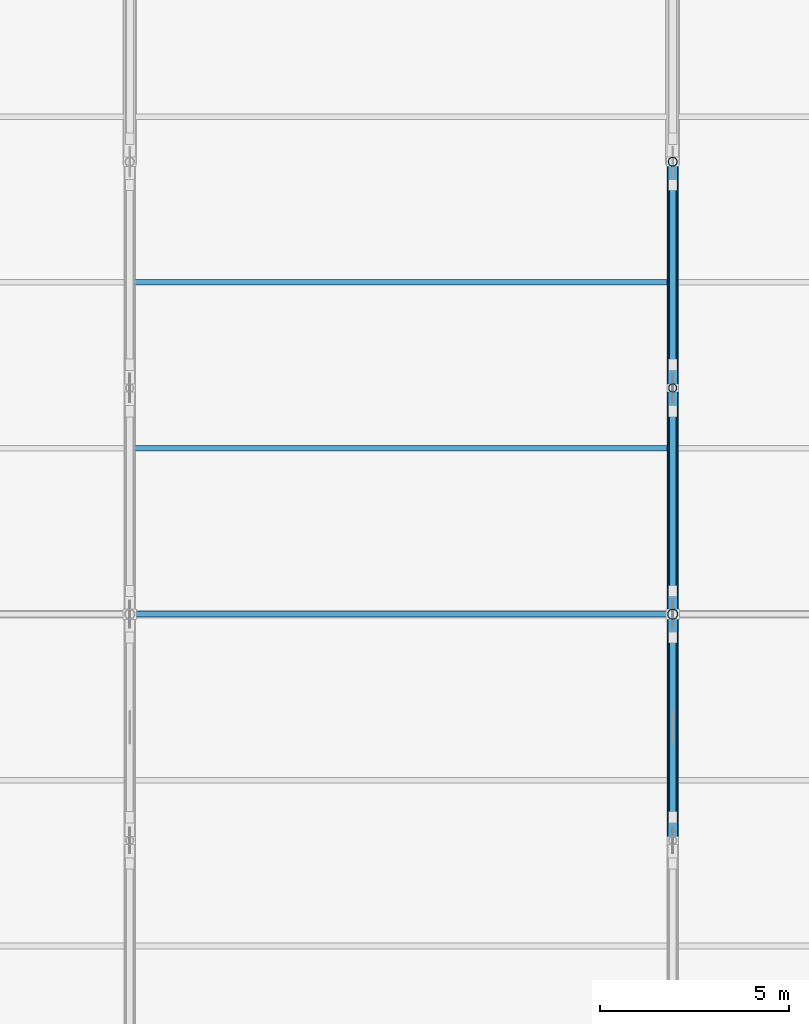
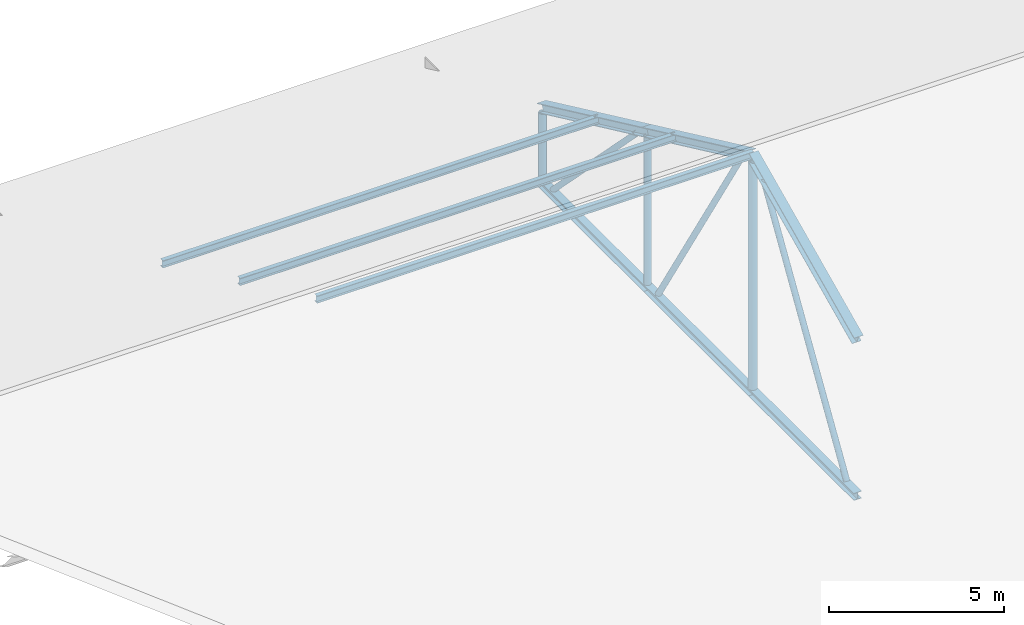
# One storey, part 81 of 141: 15 members, 1 element without a shape of its own.
"""IFC4 building model written with IfcOpenShell, lengths in metres."""

from ifc_helpers import new_model, si_unit, direction, frame, origin, origin_2d, place, context, subcontext, project, spatial, hollow_circle, i_section, extrude, material, material_profile, profile_set, type_object, element, aggregate, save


model = new_model("IFC4")

# Units and contexts
model_context = context("Model", 3, precision=1e-05, world=origin(), true_north=direction((0.0, 1.0)))
body_context = subcontext(model_context, "Body", "Model", "MODEL_VIEW")
ifc_project = project(units=[si_unit("LENGTHUNIT", "METRE"), si_unit("AREAUNIT", "SQUARE_METRE"), si_unit("VOLUMEUNIT", "CUBIC_METRE"), si_unit("PLANEANGLEUNIT", "RADIAN"), si_unit("MASSUNIT", "GRAM", prefix="KILO")], contexts=[model_context])

# Site, building, storey
site_placement = place(None, origin())
site = spatial("IfcSite", under=ifc_project, at=site_placement, CompositionType="ELEMENT")
building_placement = place(site_placement, origin())
building = spatial("IfcBuilding", under=site, at=building_placement, Name="Seraya Terrace Polytechnic", CompositionType="ELEMENT")
storey_placement = place(building_placement, frame((0.0, 0.0, 14.39990234375)))
storey = spatial("IfcBuildingStorey", under=building, at=storey_placement, Name="L03", CompositionType="ELEMENT", Elevation=14.39990234375)

# Assembly, members
ifc_material = material(Name="Steel S355J2", Category="steel")
element_assembly_type = type_object("IfcElementAssemblyType", Name="TR-A1", PredefinedType="TRUSS", material=ifc_material)
assembly_placement = place(storey_placement, origin())
assembly = element("IfcElementAssembly", 1, at=assembly_placement, inside=storey, type_object=element_assembly_type, Name="Pitched steel roof truss TR-04", AssemblyPlace="SITE", PredefinedType="TRUSS")
ifc_material_profile_1 = material_profile(ifc_material, i_section(OverallWidth=0.25390625, OverallDepth=0.25390625, WebThickness=0.0107421875, FlangeThickness=0.017333984375, at=origin_2d()), Name="UKC 254x254x10.7x17.3")
ifc_profile_set_1 = profile_set([ifc_material_profile_1], Name="Steel S355J2")
member_type_1 = type_object("IfcMemberType", Name="BC-02", PredefinedType="CHORD", material=ifc_profile_set_1)
member_1_placement = place(storey_placement, frame((57.60009765625, 91.199951171875, 0.150146484375), z_axis=(0.0, 1.0, 0.0), x_axis=(-1.0, 0.0, 0.0)))
member_1 = element("IfcMember", 2, at=member_1_placement, type_object=member_type_1, Name="TR-04 bottom chord 3", PredefinedType="CHORD", context=body_context, shape_type="SweptSolid", body=[
    extrude(i_section(OverallWidth=0.25390625, OverallDepth=0.25390625, WebThickness=0.0107421875, FlangeThickness=0.017333984375, at=origin_2d()), origin(), (0.0, 0.0, 1.0), 6.0),
])
member_2_placement = place(storey_placement, frame((57.60009765625, 97.199951171875, 0.150146484375), z_axis=(0.0, 1.0, 0.0), x_axis=(-1.0, 0.0, 0.0)))
member_2 = element("IfcMember", 3, at=member_2_placement, type_object=member_type_1, Name="TR-04 bottom chord 4", PredefinedType="CHORD", context=body_context, shape_type="SweptSolid", body=[
    extrude(i_section(OverallWidth=0.25390625, OverallDepth=0.25390625, WebThickness=0.0107421875, FlangeThickness=0.017333984375, at=origin_2d()), origin(), (0.0, 0.0, 1.0), 6.0),
])
member_3_placement = place(storey_placement, frame((57.60009765625, 103.199951171875, 0.150146484375), z_axis=(0.0, 1.0, 0.0), x_axis=(-1.0, 0.0, 0.0)))
member_3 = element("IfcMember", 4, at=member_3_placement, type_object=member_type_1, Name="TR-04 bottom chord 5", PredefinedType="CHORD", context=body_context, shape_type="SweptSolid", body=[
    extrude(i_section(OverallWidth=0.25390625, OverallDepth=0.25390625, WebThickness=0.0107421875, FlangeThickness=0.017333984375, at=origin_2d()), origin(), (0.0, 0.0, 1.0), 6.0),
])
ifc_material_profile_2 = material_profile(ifc_material, hollow_circle(Radius=0.096923828125, WallThickness=0.010009765625, at=origin_2d()), Name="CHS 193.7x10.0")
ifc_profile_set_2 = profile_set([ifc_material_profile_2], Name="Steel S355J2")
member_type_2 = type_object("IfcMemberType", Name="BR-02", PredefinedType="BRACE", material=ifc_profile_set_2)
member_4_placement = place(storey_placement, frame((57.60009765625, 91.820068359375, 0.291015625), z_axis=(0.0, 0.528137409747, 0.84915892295), x_axis=(-1.0, 0.0, 0.0)))
member_4 = element("IfcMember", 5, at=member_4_placement, type_object=member_type_2, Name="TR-04 web diagonal 3", PredefinedType="BRACE", context=body_context, shape_type="SweptSolid", body=[
    extrude(hollow_circle(Radius=0.096923828125, WallThickness=0.010009765625, at=origin_2d()), origin(), (0.0, 0.0, 1.0), 9.012939453125),
])
member_5_placement = place(storey_placement, frame((57.60009765625, 97.820068359375, 7.9443359375), z_axis=(0.0, 0.528137409747, -0.84915892295), x_axis=(-1.0, 0.0, 0.0)))
member_5 = element("IfcMember", 6, at=member_5_placement, type_object=member_type_2, Name="TR-04 web diagonal 4", PredefinedType="BRACE", context=body_context, shape_type="SweptSolid", body=[
    extrude(hollow_circle(Radius=0.096923828125, WallThickness=0.010009765625, at=origin_2d()), origin(), (0.0, 0.0, 1.0), 9.012939453125),
])
member_6_placement = place(storey_placement, frame((57.60009765625, 103.820068359375, 5.144287109375), z_axis=(0.0, 0.700213947338, -0.713933069659), x_axis=(-1.0, 0.0, 0.0)))
member_6 = element("IfcMember", 7, at=member_6_placement, type_object=member_type_2, Name="TR-04 web diagonal 5", PredefinedType="BRACE", context=body_context, shape_type="SweptSolid", body=[
    extrude(hollow_circle(Radius=0.096923828125, WallThickness=0.010009765625, at=origin_2d()), origin(), (0.0, 0.0, 1.0), 6.7978515625),
])

# Members
ifc_material_profile_3 = material_profile(ifc_material, i_section(OverallWidth=0.14599609375, OverallDepth=0.25390625, WebThickness=0.007080078125, FlangeThickness=0.01416015625, at=origin_2d()), Name="UKB 254x146x7.2x14.2")
ifc_profile_set_3 = profile_set([ifc_material_profile_3], Name="Steel S355J2")
member_type_3 = type_object("IfcMemberType", Name="PR-01", PredefinedType="PURLIN", material=ifc_profile_set_3)
for number, where, z_axis, x_axis, name in (
    (8, (43.199951171875, 97.199951171875, 8.43017578125), (1.0, 0.0, 0.0), (0.0, 1.0, 0.0), "Workshop roof purlin PR-01 bay 3.6"),
    (9, (43.199951171875, 101.60009765625, 6.376953125), (1.0, 0.0, 0.0), (0.0, 1.0, 0.0), "Workshop roof purlin PR-01 bay 3.7"),
    (10, (43.199951171875, 106.0, 4.323486328125), (1.0, 0.0, 0.0), (0.0, 1.0, 0.0), "Workshop roof purlin PR-01 bay 3.8"),
):
    element("IfcMember", number, at=place(storey_placement, frame(where, z_axis=z_axis, x_axis=x_axis)), inside=storey, type_object=member_type_3, Name=name, PredefinedType="PURLIN", context=body_context, shape_type="SweptSolid", body=[
        extrude(i_section(OverallWidth=0.14599609375, OverallDepth=0.25390625, WebThickness=0.007080078125, FlangeThickness=0.01416015625, at=origin_2d()), origin(), (0.0, 0.0, 1.0), 14.400146484375),
    ])

# Member
ifc_material_profile_4 = material_profile(ifc_material, hollow_circle(Radius=0.136474609375, WallThickness=0.012451171875, at=origin_2d()), Name="CHS 273.0x12.5")
ifc_profile_set_4 = profile_set([ifc_material_profile_4], Name="Steel S355J2")
member_type_4 = type_object("IfcMemberType", Name="ST-M1", PredefinedType="STRUT", material=ifc_profile_set_4)
member_7_placement = place(storey_placement, frame((57.60009765625, 97.199951171875, 0.281005859375), z_axis=(0.0, 0.0, 1.0), x_axis=(1.0, 0.0, 0.0)))
member_7 = element("IfcMember", 11, at=member_7_placement, type_object=member_type_4, Name="TR-04 vertical strut 4", PredefinedType="STRUT", context=body_context, shape_type="SweptSolid", body=[
    extrude(hollow_circle(Radius=0.136474609375, WallThickness=0.012451171875, at=origin_2d()), origin(), (0.0, 0.0, 1.0), 7.962646484375),
])

ifc_material_profile_5 = material_profile(ifc_material, hollow_circle(Radius=0.122314453125, WallThickness=0.012451171875, at=origin_2d()), Name="CHS 244.5x12.5")
ifc_profile_set_5 = profile_set([ifc_material_profile_5], Name="Steel S355J2")
member_type_5 = type_object("IfcMemberType", Name="ST-M2", PredefinedType="STRUT", material=ifc_profile_set_5)
member_8_placement = place(storey_placement, frame((57.60009765625, 109.199951171875, 0.306640625), z_axis=(0.0, 0.0, 1.0), x_axis=(1.0, 0.0, 0.0)))
member_8 = element("IfcMember", 12, at=member_8_placement, type_object=member_type_5, Name="TR-04 vertical strut 6", PredefinedType="STRUT", context=body_context, shape_type="SweptSolid", body=[
    extrude(hollow_circle(Radius=0.122314453125, WallThickness=0.012451171875, at=origin_2d()), origin(), (0.0, 0.0, 1.0), 2.3115234375),
])

ifc_material_profile_6 = material_profile(ifc_material, hollow_circle(Radius=0.109619140625, WallThickness=0.010009765625, at=origin_2d()), Name="CHS 219.1x10.0")
ifc_profile_set_6 = profile_set([ifc_material_profile_6], Name="Steel S355J2")
member_type_6 = type_object("IfcMemberType", Name="ST-M3", PredefinedType="STRUT", material=ifc_profile_set_6)
member_9_placement = place(storey_placement, frame((57.60009765625, 103.199951171875, 0.281005859375), z_axis=(0.0, 0.0, 1.0), x_axis=(1.0, 0.0, 0.0)))
member_9 = element("IfcMember", 13, at=member_9_placement, type_object=member_type_6, Name="TR-04 vertical strut 5", PredefinedType="STRUT", context=body_context, shape_type="SweptSolid", body=[
    extrude(hollow_circle(Radius=0.109619140625, WallThickness=0.010009765625, at=origin_2d()), origin(), (0.0, 0.0, 1.0), 5.16259765625),
])

ifc_material_profile_7 = material_profile(ifc_material, i_section(OverallWidth=0.304931640625, OverallDepth=0.304931640625, WebThickness=0.011962890625, FlangeThickness=0.019775390625, at=origin_2d()), Name="UKC 305x305x12.0x19.7")
ifc_profile_set_7 = profile_set([ifc_material_profile_7], Name="Steel S355J2")
member_type_7 = type_object("IfcMemberType", Name="TC-02", PredefinedType="CHORD", material=ifc_profile_set_7)
member_10_placement = place(storey_placement, frame((57.60009765625, 91.199951171875, 5.60009765625), z_axis=(0.0, 0.906180313975, 0.422891521036), x_axis=(-1.0, 0.0, 0.0)))
member_10 = element("IfcMember", 14, at=member_10_placement, type_object=member_type_7, Name="TR-04 top chord 3", PredefinedType="CHORD", context=body_context, shape_type="SweptSolid", body=[
    extrude(i_section(OverallWidth=0.304931640625, OverallDepth=0.304931640625, WebThickness=0.011962890625, FlangeThickness=0.019775390625, at=origin_2d()), origin(), (0.0, 0.0, 1.0), 6.62109375),
])

member_11_placement = place(storey_placement, frame((57.60009765625, 97.199951171875, 8.400146484375), z_axis=(0.0, 0.906180313975, -0.422891521036), x_axis=(-1.0, 0.0, 0.0)))
member_11 = element("IfcMember", 15, at=member_11_placement, type_object=member_type_7, Name="TR-04 top chord 4", PredefinedType="CHORD", context=body_context, shape_type="SweptSolid", body=[
    extrude(i_section(OverallWidth=0.304931640625, OverallDepth=0.304931640625, WebThickness=0.011962890625, FlangeThickness=0.019775390625, at=origin_2d()), origin(), (0.0, 0.0, 1.0), 6.62109375),
])

member_12_placement = place(storey_placement, frame((57.60009765625, 103.199951171875, 5.60009765625), z_axis=(0.0, 0.906180313975, -0.422891521036), x_axis=(-1.0, 0.0, 0.0)))
member_12 = element("IfcMember", 16, at=member_12_placement, type_object=member_type_7, Name="TR-04 top chord 5", PredefinedType="CHORD", context=body_context, shape_type="SweptSolid", body=[
    extrude(i_section(OverallWidth=0.304931640625, OverallDepth=0.304931640625, WebThickness=0.011962890625, FlangeThickness=0.019775390625, at=origin_2d()), origin(), (0.0, 0.0, 1.0), 6.62109375),
])

aggregate(assembly, [member_1, member_10, member_2, member_11, member_3, member_12, member_7, member_9, member_8, member_4, member_5, member_6])

save(model, "model.ifc")
